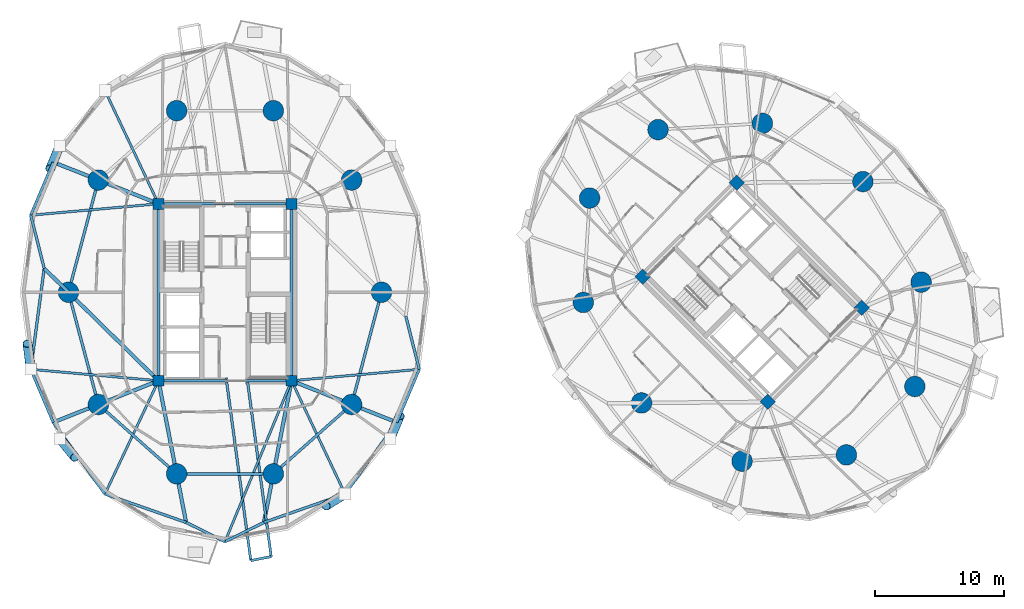
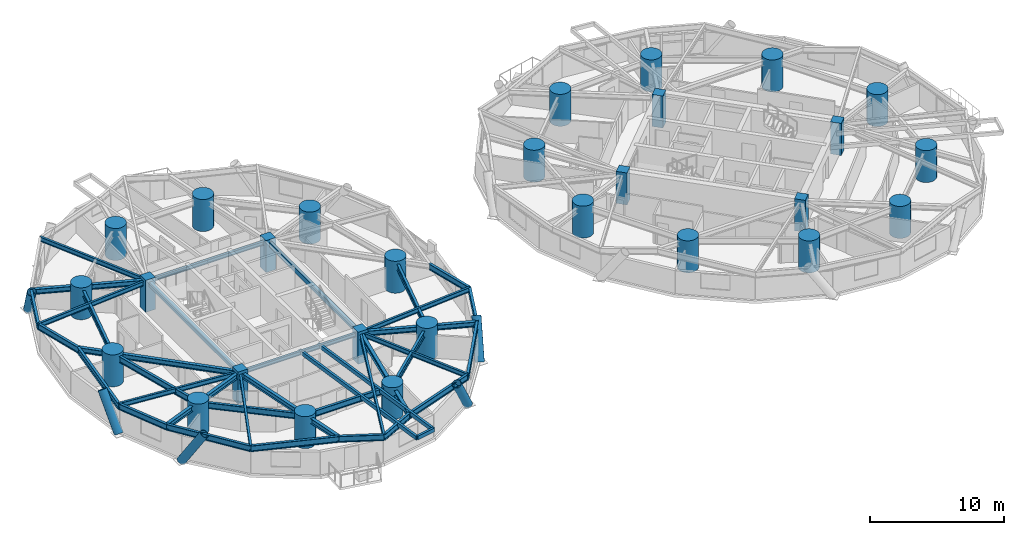
# One storey, part 1 of 19: 39 beams, 28 columns, 5 members.
"""IFC4 building model written with IfcOpenShell, lengths in metres."""

from ifc_helpers import new_model, si_unit, direction, frame, origin, origin_2d, place, context, subcontext, project, spatial, rectangle, hollow_rectangle, circle, hollow_circle, i_section, extrude, material, material_profile, profile_set, type_object, element, save


model = new_model("IFC4")

# Units and contexts
model_context = context("Model", 3, precision=1e-05, world=origin(), true_north=direction((0.0, 1.0)))
body_context = subcontext(model_context, "Body", "Model", "MODEL_VIEW")
ifc_project = project(units=[si_unit("LENGTHUNIT", "METRE"), si_unit("AREAUNIT", "SQUARE_METRE"), si_unit("VOLUMEUNIT", "CUBIC_METRE"), si_unit("PLANEANGLEUNIT", "RADIAN"), si_unit("MASSUNIT", "GRAM", prefix="KILO")], contexts=[model_context])

# Site, building, storey
site_placement = place(None, origin())
site = spatial("IfcSite", under=ifc_project, at=site_placement, CompositionType="ELEMENT")
building_placement = place(site_placement, origin())
building = spatial("IfcBuilding", under=site, at=building_placement, Name="Cununo Teusaquillo Station Towers", CompositionType="ELEMENT")
storey_placement = place(building_placement, frame((0.0, 0.0, 48.18994140625)))
storey = spatial("IfcBuildingStorey", under=building, at=storey_placement, Name="L14", CompositionType="ELEMENT", Elevation=48.18994140625)

# Columns
ifc_material_1 = material(Name="Concrete C50/60", Category="concrete")
ifc_material_profile_1 = material_profile(ifc_material_1, rectangle(XDim=0.85009765625, YDim=0.85009765625, at=origin_2d()), Name="RC-RECT-850x850")
ifc_profile_set_1 = profile_set([ifc_material_profile_1], Name="Concrete C50/60")
column_type_1 = type_object("IfcColumnType", Name="COL-CORE-Z1", PredefinedType="COLUMN", material=ifc_profile_set_1)
for number, where, z_axis, x_axis, name in (
    (1, (11.324951171875, 17.6201171875, 0.0), (0.0, 0.0, 1.0), (1.0, 0.0, 0.0), "L14 Tower A Core Column 1"),
    (2, (11.324951171875, 31.3798828125, 0.0), (0.0, 0.0, 1.0), (1.0, 0.0, 0.0), "L14 Tower A Core Column 2"),
    (3, (21.675048828125, 17.6201171875, 0.0), (0.0, 0.0, 1.0), (1.0, 0.0, 0.0), "L14 Tower A Core Column 3"),
    (4, (21.675048828125, 31.3798828125, 0.0), (0.0, 0.0, 1.0), (1.0, 0.0, 0.0), "L14 Tower A Core Column 4"),
    (5, (58.70556640625, 15.975830078125, 0.0), (0.0, 0.0, 1.0), (0.707106781187, 0.707106781187, 0.0), "L14 Tower B Core Column 1"),
    (6, (48.975830078125, 25.70556640625, 0.0), (0.0, 0.0, 1.0), (0.707106781187, 0.707106781187, 0.0), "L14 Tower B Core Column 2"),
    (7, (66.024169921875, 23.29443359375, 0.0), (0.0, 0.0, 1.0), (0.707106781187, 0.707106781187, 0.0), "L14 Tower B Core Column 3"),
    (8, (56.29443359375, 33.024169921875, 0.0), (0.0, 0.0, 1.0), (0.707106781187, 0.707106781187, 0.0), "L14 Tower B Core Column 4"),
):
    element("IfcColumn", number, at=place(storey_placement, frame(where, z_axis=z_axis, x_axis=x_axis)), inside=storey, type_object=column_type_1, Name=name, PredefinedType="COLUMN", context=body_context, shape_type="SweptSolid", body=[
        extrude(rectangle(XDim=0.85009765625, YDim=0.85009765625, at=origin_2d()), origin(), (0.0, 0.0, 1.0), 2.91015625),
    ])
ifc_material_2 = material(Name="Concrete C60/75", Category="concrete")
ifc_material_profile_2 = material_profile(ifc_material_2, circle(Radius=0.800048828125, at=origin_2d()), Name="RC-CIRC-1600")
ifc_profile_set_2 = profile_set([ifc_material_profile_2], Name="Concrete C60/75")
column_type_2 = type_object("IfcColumnType", Name="COL-MEGA-Z1", PredefinedType="USERDEFINED", material=ifc_profile_set_2)
for number, where, z_axis, x_axis, name in (
    (9, (28.672119140625, 24.5, 0.0), (0.0, 0.0, 1.0), (1.0, 0.0, 0.0), "L14 Tower A Perimeter Column V00"),
    (10, (26.347412109375, 33.228515625, 0.0), (0.0, 0.0, 1.0), (1.0, 0.0, 0.0), "L14 Tower A Perimeter Column V02"),
    (11, (20.261474609375, 38.623291015625, 0.0), (0.0, 0.0, 1.0), (1.0, 0.0, 0.0), "L14 Tower A Perimeter Column V04"),
    (12, (12.738525390625, 38.623291015625, 0.0), (0.0, 0.0, 1.0), (1.0, 0.0, 0.0), "L14 Tower A Perimeter Column V06"),
    (13, (6.652587890625, 33.228515625, 0.0), (0.0, 0.0, 1.0), (1.0, 0.0, 0.0), "L14 Tower A Perimeter Column V08"),
    (14, (4.327880859375, 24.5, 0.0), (0.0, 0.0, 1.0), (1.0, 0.0, 0.0), "L14 Tower A Perimeter Column V10"),
    (15, (6.652587890625, 15.771484375, 0.0), (0.0, 0.0, 1.0), (1.0, 0.0, 0.0), "L14 Tower A Perimeter Column V12"),
    (16, (12.738525390625, 10.376708984375, 0.0), (0.0, 0.0, 1.0), (1.0, 0.0, 0.0), "L14 Tower A Perimeter Column V14"),
    (17, (20.261474609375, 10.376708984375, 0.0), (0.0, 0.0, 1.0), (1.0, 0.0, 0.0), "L14 Tower A Perimeter Column V16"),
    (18, (26.347412109375, 15.771484375, 0.0), (0.0, 0.0, 1.0), (1.0, 0.0, 0.0), "L14 Tower A Perimeter Column V18"),
    (19, (66.10693359375, 33.10693359375, 0.0), (0.0, 0.0, 1.0), (1.0, 0.0, 0.0), "L14 Tower B Perimeter Column V00"),
    (20, (58.291015625, 37.63525390625, 0.0), (0.0, 0.0, 1.0), (1.0, 0.0, 0.0), "L14 Tower B Perimeter Column V02"),
    (21, (50.173095703125, 37.146240234375, 0.0), (0.0, 0.0, 1.0), (1.0, 0.0, 0.0), "L14 Tower B Perimeter Column V04"),
    (22, (44.853759765625, 31.826904296875, 0.0), (0.0, 0.0, 1.0), (1.0, 0.0, 0.0), "L14 Tower B Perimeter Column V06"),
    (23, (44.36474609375, 23.708984375, 0.0), (0.0, 0.0, 1.0), (1.0, 0.0, 0.0), "L14 Tower B Perimeter Column V08"),
    (24, (48.89306640625, 15.89306640625, 0.0), (0.0, 0.0, 1.0), (1.0, 0.0, 0.0), "L14 Tower B Perimeter Column V10"),
    (25, (56.708984375, 11.36474609375, 0.0), (0.0, 0.0, 1.0), (1.0, 0.0, 0.0), "L14 Tower B Perimeter Column V12"),
    (26, (64.826904296875, 11.853759765625, 0.0), (0.0, 0.0, 1.0), (1.0, 0.0, 0.0), "L14 Tower B Perimeter Column V14"),
    (27, (70.146240234375, 17.173095703125, 0.0), (0.0, 0.0, 1.0), (1.0, 0.0, 0.0), "L14 Tower B Perimeter Column V16"),
    (28, (70.63525390625, 25.291015625, 0.0), (0.0, 0.0, 1.0), (1.0, 0.0, 0.0), "L14 Tower B Perimeter Column V18"),
):
    element("IfcColumn", number, at=place(storey_placement, frame(where, z_axis=z_axis, x_axis=x_axis)), inside=storey, type_object=column_type_2, Name=name, ObjectType="MEGA COLUMN", PredefinedType="USERDEFINED", context=body_context, shape_type="SweptSolid", body=[
        extrude(circle(Radius=0.800048828125, at=origin_2d()), origin(), (0.0, 0.0, 1.0), 2.91015625),
    ])

# Beams
ifc_material_3 = material(Name="Steel EN 10025-2 S355J2", Category="steel")
ifc_material_profile_3 = material_profile(ifc_material_3, hollow_rectangle(XDim=0.199951171875, YDim=0.35009765625, WallThickness=0.013916015625, at=origin_2d()), Name="RHS 350x200x14")
ifc_profile_set_3 = profile_set([ifc_material_profile_3], Name="Steel EN 10025-2 S355J2")
beam_type_1 = type_object("IfcBeamType", Name="BM-BAL-CANT", PredefinedType="BEAM", material=ifc_profile_set_3)
beam_1_placement = place(storey_placement, frame((16.584716796875, 17.85009765625, 2.47509765625), z_axis=(0.133924221821, -0.990991575549, 0.0), x_axis=(0.990991575549, 0.133924221821, 0.0)))
element("IfcBeam", 29, at=beam_1_placement, inside=storey, type_object=beam_type_1, Name="L14 Tower A Balcony Cantilever Bracket 2A", PredefinedType="BEAM", context=body_context, shape_type="SweptSolid", body=[
    extrude(hollow_rectangle(XDim=0.199951171875, YDim=0.35009765625, WallThickness=0.013916015625, at=origin_2d()), origin(), (0.0, 0.0, 1.0), 14.34130859375),
])
beam_2_placement = place(storey_placement, frame((18.21240234375, 17.85009765625, 2.47509765625), z_axis=(0.133936830088, -0.990989871566, 0.0), x_axis=(0.990989871566, 0.133936830088, 0.0)))
element("IfcBeam", 30, at=beam_2_placement, inside=storey, type_object=beam_type_1, Name="L14 Tower A Balcony Cantilever Bracket 2B", PredefinedType="BEAM", context=body_context, shape_type="SweptSolid", body=[
    extrude(hollow_rectangle(XDim=0.199951171875, YDim=0.35009765625, WallThickness=0.013916015625, at=origin_2d()), origin(), (0.0, 0.0, 1.0), 14.031982421875),
])
ifc_material_4 = material(Name="Steel EN 10025-2 S355J2", Category="steel")
ifc_material_profile_4 = material_profile(ifc_material_4, hollow_rectangle(XDim=0.25, YDim=0.449951171875, WallThickness=0.01611328125, at=origin_2d()), Name="RHS 450x250x16")
ifc_profile_set_4 = profile_set([ifc_material_profile_4], Name="Steel EN 10025-2 S355J2")
beam_type_2 = type_object("IfcBeamType", Name="BM-COUP-1", PredefinedType="USERDEFINED", material=ifc_profile_set_4)
for number, where, z_axis, x_axis, name in (
    (31, (11.324951171875, 17.6201171875, 2.425048828125), (0.0, 1.0, 0.0), (-1.0, 0.0, 0.0), "L14 Tower A Core Beam 1"),
    (32, (21.675048828125, 17.6201171875, 2.425048828125), (0.0, 1.0, 0.0), (-1.0, 0.0, 0.0), "L14 Tower A Core Beam 2"),
):
    element("IfcBeam", number, at=place(storey_placement, frame(where, z_axis=z_axis, x_axis=x_axis)), inside=storey, type_object=beam_type_2, Name=name, ObjectType="COUPLING BEAM", PredefinedType="USERDEFINED", context=body_context, shape_type="SweptSolid", body=[
        extrude(hollow_rectangle(XDim=0.25, YDim=0.449951171875, WallThickness=0.01611328125, at=origin_2d()), origin(), (0.0, 0.0, 1.0), 13.759765625),
    ])
ifc_material_5 = material(Name="Steel ASTM A572 Grade 50", Category="steel")
ifc_material_profile_5 = material_profile(ifc_material_5, i_section(OverallWidth=0.180908203125, OverallDepth=0.4169921875, WebThickness=0.010986328125, FlangeThickness=0.018310546875, FilletRadius=0.012939453125, at=origin_2d()), Name="W16X57")
ifc_profile_set_5 = profile_set([ifc_material_profile_5], Name="Steel ASTM A572 Grade 50")
beam_type_3 = type_object("IfcBeamType", Name="BM-JOIST-1", PredefinedType="JOIST", material=ifc_profile_set_5)
beam_3_placement = place(storey_placement, frame((11.324951171875, 31.3798828125, 2.441650390625), z_axis=(-0.427160580437, 0.904175778552, 0.0), x_axis=(-0.904175778552, -0.427160580437, 0.0)))
element("IfcBeam", 33, at=beam_3_placement, inside=storey, type_object=beam_type_3, Name="L14 Tower A Radial Spandrel Joist V07", PredefinedType="JOIST", context=body_context, shape_type="SweptSolid", body=[
    extrude(i_section(OverallWidth=0.180908203125, OverallDepth=0.4169921875, WebThickness=0.010986328125, FlangeThickness=0.018310546875, FilletRadius=0.012939453125, at=origin_2d()), origin(), (0.0, 0.0, 1.0), 9.740234375),
])
for number, where, z_axis, x_axis, name in (
    (34, (11.324951171875, 31.3798828125, 2.441650390625), (-0.996024214913, -0.089082901314, 0.0), (0.089082901314, -0.996024214913, 0.0), "L14 Tower A Radial Spandrel Joist V09"),
    (35, (11.324951171875, 17.6201171875, 2.441650390625), (-0.996024214913, 0.089082901314, 0.0), (-0.089082901314, -0.996024214913, 0.0), "L14 Tower A Radial Spandrel Joist V11"),
):
    element("IfcBeam", number, at=place(storey_placement, frame(where, z_axis=z_axis, x_axis=x_axis)), inside=storey, type_object=beam_type_3, Name=name, PredefinedType="JOIST", context=body_context, shape_type="SweptSolid", body=[
        extrude(i_section(OverallWidth=0.180908203125, OverallDepth=0.4169921875, WebThickness=0.010986328125, FlangeThickness=0.018310546875, FilletRadius=0.012939453125, at=origin_2d()), origin(), (0.0, 0.0, 1.0), 9.97021484375),
    ])
beam_4_placement = place(storey_placement, frame((11.324951171875, 17.6201171875, 2.441650390625), z_axis=(-0.427160580437, -0.904175778552, 0.0), x_axis=(0.904175778552, -0.427160580437, 0.0)))
element("IfcBeam", 36, at=beam_4_placement, inside=storey, type_object=beam_type_3, Name="L14 Tower A Radial Spandrel Joist V13", PredefinedType="JOIST", context=body_context, shape_type="SweptSolid", body=[
    extrude(i_section(OverallWidth=0.180908203125, OverallDepth=0.4169921875, WebThickness=0.010986328125, FlangeThickness=0.018310546875, FilletRadius=0.012939453125, at=origin_2d()), origin(), (0.0, 0.0, 1.0), 9.740234375),
])
beam_5_placement = place(storey_placement, frame((21.675048828125, 17.6201171875, 2.441650390625), z_axis=(-0.382256753081, -0.924056153447, 0.0), x_axis=(0.924056153447, -0.382256753081, 0.0)))
element("IfcBeam", 37, at=beam_5_placement, inside=storey, type_object=beam_type_3, Name="L14 Tower A Radial Spandrel Joist V15", PredefinedType="JOIST", context=body_context, shape_type="SweptSolid", body=[
    extrude(i_section(OverallWidth=0.180908203125, OverallDepth=0.4169921875, WebThickness=0.010986328125, FlangeThickness=0.018310546875, FilletRadius=0.012939453125, at=origin_2d()), origin(), (0.0, 0.0, 1.0), 13.5380859375),
])
beam_6_placement = place(storey_placement, frame((21.675048828125, 17.6201171875, 2.441650390625), z_axis=(0.427160580437, -0.904175778552, 0.0), x_axis=(0.904175778552, 0.427160580437, 0.0)))
element("IfcBeam", 38, at=beam_6_placement, inside=storey, type_object=beam_type_3, Name="L14 Tower A Radial Spandrel Joist V17", PredefinedType="JOIST", context=body_context, shape_type="SweptSolid", body=[
    extrude(i_section(OverallWidth=0.180908203125, OverallDepth=0.4169921875, WebThickness=0.010986328125, FlangeThickness=0.018310546875, FilletRadius=0.012939453125, at=origin_2d()), origin(), (0.0, 0.0, 1.0), 9.740234375),
])
beam_7_placement = place(storey_placement, frame((21.675048828125, 17.6201171875, 2.441650390625), z_axis=(0.996024214913, 0.089082901314, 0.0), x_axis=(-0.089082901314, 0.996024214913, 0.0)))
element("IfcBeam", 39, at=beam_7_placement, inside=storey, type_object=beam_type_3, Name="L14 Tower A Radial Spandrel Joist V19", PredefinedType="JOIST", context=body_context, shape_type="SweptSolid", body=[
    extrude(i_section(OverallWidth=0.180908203125, OverallDepth=0.4169921875, WebThickness=0.010986328125, FlangeThickness=0.018310546875, FilletRadius=0.012939453125, at=origin_2d()), origin(), (0.0, 0.0, 1.0), 9.97021484375),
])
ifc_material_6 = material(Name="Steel ASTM A572 Grade 50", Category="steel")
ifc_material_profile_6 = material_profile(ifc_material_6, i_section(OverallWidth=0.2041015625, OverallDepth=0.35009765625, WebThickness=0.008544921875, FlangeThickness=0.01513671875, FilletRadius=0.011962890625, at=origin_2d()), Name="W14X48")
ifc_profile_set_6 = profile_set([ifc_material_profile_6], Name="Steel ASTM A572 Grade 50")
beam_type_4 = type_object("IfcBeamType", Name="BM-LINTEL-1", PredefinedType="LINTEL", material=ifc_profile_set_6)
for number, where, z_axis, x_axis, name in (
    (40, (11.324951171875, 17.6201171875, 2.47509765625), (1.0, 0.0, 0.0), (0.0, 1.0, 0.0), "L14 Tower A Core Beam 3"),
    (41, (11.324951171875, 31.3798828125, 2.47509765625), (1.0, 0.0, 0.0), (0.0, 1.0, 0.0), "L14 Tower A Core Beam 4"),
):
    element("IfcBeam", number, at=place(storey_placement, frame(where, z_axis=z_axis, x_axis=x_axis)), inside=storey, type_object=beam_type_4, Name=name, PredefinedType="LINTEL", context=body_context, shape_type="SweptSolid", body=[
        extrude(i_section(OverallWidth=0.2041015625, OverallDepth=0.35009765625, WebThickness=0.008544921875, FlangeThickness=0.01513671875, FilletRadius=0.011962890625, at=origin_2d()), origin(), (0.0, 0.0, 1.0), 10.35009765625),
    ])
ifc_material_7 = material(Name="Steel ASTM A572 Grade 50", Category="steel")
ifc_material_profile_7 = material_profile(ifc_material_7, i_section(OverallWidth=0.280029296875, OverallDepth=0.462890625, WebThickness=0.0107421875, FlangeThickness=0.017333984375, FilletRadius=0.013916015625, at=origin_2d()), Name="W18X76")
ifc_profile_set_7 = profile_set([ifc_material_profile_7], Name="Steel ASTM A572 Grade 50")
beam_type_5 = type_object("IfcBeamType", Name="BM-RAD-G1", PredefinedType="BEAM", material=ifc_profile_set_7)
beam_8_placement = place(storey_placement, frame((11.324951171875, 31.3798828125, 2.41845703125), z_axis=(-0.929867137966, 0.367895509256, 0.0), x_axis=(-0.367895509256, -0.929867137966, 0.0)))
element("IfcBeam", 42, at=beam_8_placement, inside=storey, type_object=beam_type_5, Name="L14 Tower A Continuous Overhanging Radial Girder 05", PredefinedType="BEAM", context=body_context, shape_type="SweptSolid", body=[
    extrude(i_section(OverallWidth=0.280029296875, OverallDepth=0.462890625, WebThickness=0.0107421875, FlangeThickness=0.017333984375, FilletRadius=0.013916015625, at=origin_2d()), origin(), (0.0, 0.0, 1.0), 8.798095703125),
])
beam_9_placement = place(storey_placement, frame((11.324951171875, 17.6201171875, 2.41845703125), z_axis=(-0.713052701438, 0.701110437073, 0.0), x_axis=(-0.701110437073, -0.713052701438, 0.0)))
element("IfcBeam", 43, at=beam_9_placement, inside=storey, type_object=beam_type_5, Name="L14 Tower A Radial Girder 06A", PredefinedType="BEAM", context=body_context, shape_type="SweptSolid", body=[
    extrude(i_section(OverallWidth=0.280029296875, OverallDepth=0.462890625, WebThickness=0.0107421875, FlangeThickness=0.017333984375, FilletRadius=0.013916015625, at=origin_2d()), origin(), (0.0, 0.0, 1.0), 9.812744140625),
])
beam_10_placement = place(storey_placement, frame((4.327880859375, 24.5, 2.41845703125), z_axis=(-0.713032905062, 0.701130570079, 0.0), x_axis=(-0.701130570079, -0.713032905062, 0.0)))
element("IfcBeam", 44, at=beam_10_placement, inside=storey, type_object=beam_type_5, Name="L14 Tower A Perimeter Overhang Girder 06B", PredefinedType="BEAM", context=body_context, shape_type="SweptSolid", body=[
    extrude(i_section(OverallWidth=0.280029296875, OverallDepth=0.462890625, WebThickness=0.0107421875, FlangeThickness=0.017333984375, FilletRadius=0.013916015625, at=origin_2d()), origin(), (0.0, 0.0, 1.0), 2.64599609375),
])
beam_11_placement = place(storey_placement, frame((11.324951171875, 17.6201171875, 2.41845703125), z_axis=(-0.929867137966, -0.367895509256, 0.0), x_axis=(0.367895509256, -0.929867137966, 0.0)))
element("IfcBeam", 45, at=beam_11_placement, inside=storey, type_object=beam_type_5, Name="L14 Tower A Continuous Overhanging Radial Girder 07", PredefinedType="BEAM", context=body_context, shape_type="SweptSolid", body=[
    extrude(i_section(OverallWidth=0.280029296875, OverallDepth=0.462890625, WebThickness=0.0107421875, FlangeThickness=0.017333984375, FilletRadius=0.013916015625, at=origin_2d()), origin(), (0.0, 0.0, 1.0), 8.798095703125),
])
for number, where, z_axis, x_axis, name in (
    (46, (11.324951171875, 17.6201171875, 2.41845703125), (0.191552755713, -0.981482318628, 0.0), (0.981482318628, 0.191552755713, 0.0), "L14 Tower A Continuous Overhanging Radial Girder 08"),
    (47, (21.675048828125, 17.6201171875, 2.41845703125), (-0.191552755713, -0.981482318628, 0.0), (0.981482318628, -0.191552755713, 0.0), "L14 Tower A Continuous Overhanging Radial Girder 09"),
):
    element("IfcBeam", number, at=place(storey_placement, frame(where, z_axis=z_axis, x_axis=x_axis)), inside=storey, type_object=beam_type_5, Name=name, PredefinedType="BEAM", context=body_context, shape_type="SweptSolid", body=[
        extrude(i_section(OverallWidth=0.280029296875, OverallDepth=0.462890625, WebThickness=0.0107421875, FlangeThickness=0.017333984375, FilletRadius=0.013916015625, at=origin_2d()), origin(), (0.0, 0.0, 1.0), 11.22998046875),
    ])
beam_12_placement = place(storey_placement, frame((21.675048828125, 17.6201171875, 2.41845703125), z_axis=(0.929867137966, -0.367895509256, 0.0), x_axis=(0.367895509256, 0.929867137966, 0.0)))
element("IfcBeam", 48, at=beam_12_placement, inside=storey, type_object=beam_type_5, Name="L14 Tower A Continuous Overhanging Radial Girder 10", PredefinedType="BEAM", context=body_context, shape_type="SweptSolid", body=[
    extrude(i_section(OverallWidth=0.280029296875, OverallDepth=0.462890625, WebThickness=0.0107421875, FlangeThickness=0.017333984375, FilletRadius=0.013916015625, at=origin_2d()), origin(), (0.0, 0.0, 1.0), 8.798095703125),
])
ifc_material_8 = material(Name="Steel ASTM A572 Grade 50", Category="steel")
ifc_material_profile_8 = material_profile(ifc_material_8, i_section(OverallWidth=0.214111328125, OverallDepth=0.549072265625, WebThickness=0.0146484375, FlangeThickness=0.023681640625, FilletRadius=0.014892578125, at=origin_2d()), Name="W21X93")
ifc_profile_set_8 = profile_set([ifc_material_profile_8], Name="Steel ASTM A572 Grade 50")
beam_type_6 = type_object("IfcBeamType", Name="BM-RING-Z1", PredefinedType="SPANDREL", material=ifc_profile_set_8)
for number, where, z_axis, x_axis, name in (
    (49, (6.652587890625, 33.228515625, 2.37548828125), (-0.257363196347, -0.966314744359, 0.0), (0.966314744359, -0.257363196347, 0.0), "L14 Tower A Structural Column Ring Girder 05"),
    (50, (4.327880859375, 24.5, 2.37548828125), (0.257363196347, -0.966314744359, 0.0), (0.966314744359, 0.257363196347, 0.0), "L14 Tower A Structural Column Ring Girder 06"),
):
    element("IfcBeam", number, at=place(storey_placement, frame(where, z_axis=z_axis, x_axis=x_axis)), inside=storey, type_object=beam_type_6, Name=name, PredefinedType="SPANDREL", context=body_context, shape_type="SweptSolid", body=[
        extrude(i_section(OverallWidth=0.214111328125, OverallDepth=0.549072265625, WebThickness=0.0146484375, FlangeThickness=0.023681640625, FilletRadius=0.014892578125, at=origin_2d()), origin(), (0.0, 0.0, 1.0), 9.03271484375),
    ])
beam_13_placement = place(storey_placement, frame((6.652587890625, 15.771484375, 2.37548828125), z_axis=(0.74832120039, -0.66333655187, 0.0), x_axis=(0.66333655187, 0.74832120039, 0.0)))
element("IfcBeam", 51, at=beam_13_placement, inside=storey, type_object=beam_type_6, Name="L14 Tower A Structural Column Ring Girder 07", PredefinedType="SPANDREL", context=body_context, shape_type="SweptSolid", body=[
    extrude(i_section(OverallWidth=0.214111328125, OverallDepth=0.549072265625, WebThickness=0.0146484375, FlangeThickness=0.023681640625, FilletRadius=0.014892578125, at=origin_2d()), origin(), (0.0, 0.0, 1.0), 8.1328125),
])
beam_14_placement = place(storey_placement, frame((12.738525390625, 10.376708984375, 2.37548828125), z_axis=(1.0, 0.0, 0.0), x_axis=(0.0, 1.0, 0.0)))
element("IfcBeam", 52, at=beam_14_placement, inside=storey, type_object=beam_type_6, Name="L14 Tower A Structural Column Ring Girder 08", PredefinedType="SPANDREL", context=body_context, shape_type="SweptSolid", body=[
    extrude(i_section(OverallWidth=0.214111328125, OverallDepth=0.549072265625, WebThickness=0.0146484375, FlangeThickness=0.023681640625, FilletRadius=0.014892578125, at=origin_2d()), origin(), (0.0, 0.0, 1.0), 7.52294921875),
])
beam_15_placement = place(storey_placement, frame((20.261474609375, 10.376708984375, 2.37548828125), z_axis=(0.74832120039, 0.66333655187, 0.0), x_axis=(-0.66333655187, 0.74832120039, 0.0)))
element("IfcBeam", 53, at=beam_15_placement, inside=storey, type_object=beam_type_6, Name="L14 Tower A Structural Column Ring Girder 09", PredefinedType="SPANDREL", context=body_context, shape_type="SweptSolid", body=[
    extrude(i_section(OverallWidth=0.214111328125, OverallDepth=0.549072265625, WebThickness=0.0146484375, FlangeThickness=0.023681640625, FilletRadius=0.014892578125, at=origin_2d()), origin(), (0.0, 0.0, 1.0), 8.1328125),
])
beam_16_placement = place(storey_placement, frame((26.347412109375, 15.771484375, 2.37548828125), z_axis=(0.257363196347, 0.966314744359, 0.0), x_axis=(-0.966314744359, 0.257363196347, 0.0)))
element("IfcBeam", 54, at=beam_16_placement, inside=storey, type_object=beam_type_6, Name="L14 Tower A Structural Column Ring Girder 10", PredefinedType="SPANDREL", context=body_context, shape_type="SweptSolid", body=[
    extrude(i_section(OverallWidth=0.214111328125, OverallDepth=0.549072265625, WebThickness=0.0146484375, FlangeThickness=0.023681640625, FilletRadius=0.014892578125, at=origin_2d()), origin(), (0.0, 0.0, 1.0), 9.03271484375),
])
beam_17_placement = place(storey_placement, frame((3.143798828125, 34.61669921875, 2.37548828125), z_axis=(-0.390457491743, -0.920620957366, 0.0), x_axis=(0.920620957366, -0.390457491743, 0.0)))
element("IfcBeam", 55, at=beam_17_placement, inside=storey, type_object=beam_type_6, Name="L14 Tower A Spandrel Ring Beam 09", PredefinedType="SPANDREL", context=body_context, shape_type="SweptSolid", body=[
    extrude(i_section(OverallWidth=0.214111328125, OverallDepth=0.549072265625, WebThickness=0.0146484375, FlangeThickness=0.023681640625, FilletRadius=0.014892578125, at=origin_2d()), origin(), (0.0, 0.0, 1.0), 4.480712890625),
])
beam_18_placement = place(storey_placement, frame((1.394287109375, 30.49169921875, 2.37548828125), z_axis=(0.24534835638, -0.969434981843, 0.0), x_axis=(0.969434981843, 0.24534835638, 0.0)))
element("IfcBeam", 56, at=beam_18_placement, inside=storey, type_object=beam_type_6, Name="L14 Tower A Spandrel Ring Beam 10", PredefinedType="SPANDREL", context=body_context, shape_type="SweptSolid", body=[
    extrude(i_section(OverallWidth=0.214111328125, OverallDepth=0.549072265625, WebThickness=0.0146484375, FlangeThickness=0.023681640625, FilletRadius=0.014892578125, at=origin_2d()), origin(), (0.0, 0.0, 1.0), 4.266845703125),
])
beam_19_placement = place(storey_placement, frame((2.441162109375, 26.355224609375, 2.37548828125), z_axis=(-0.132240482179, -0.991217662712, 0.0), x_axis=(0.991217662712, -0.132240482179, 0.0)))
element("IfcBeam", 57, at=beam_19_placement, inside=storey, type_object=beam_type_6, Name="L14 Tower A Spandrel Ring Beam 11", PredefinedType="SPANDREL", context=body_context, shape_type="SweptSolid", body=[
    extrude(i_section(OverallWidth=0.214111328125, OverallDepth=0.549072265625, WebThickness=0.0146484375, FlangeThickness=0.023681640625, FilletRadius=0.014892578125, at=origin_2d()), origin(), (0.0, 0.0, 1.0), 7.91650390625),
])
beam_20_placement = place(storey_placement, frame((1.394287109375, 18.50830078125, 2.37548828125), z_axis=(0.390457491743, -0.920620957366, 0.0), x_axis=(0.920620957366, 0.390457491743, 0.0)))
element("IfcBeam", 58, at=beam_20_placement, inside=storey, type_object=beam_type_6, Name="L14 Tower A Spandrel Ring Beam 12", PredefinedType="SPANDREL", context=body_context, shape_type="SweptSolid", body=[
    extrude(i_section(OverallWidth=0.214111328125, OverallDepth=0.549072265625, WebThickness=0.0146484375, FlangeThickness=0.023681640625, FilletRadius=0.014892578125, at=origin_2d()), origin(), (0.0, 0.0, 1.0), 4.480712890625),
])
beam_21_placement = place(storey_placement, frame((3.143798828125, 14.38330078125, 2.37548828125), z_axis=(0.585268642749, -0.810839451319, 0.0), x_axis=(0.810839451319, 0.585268642749, 0.0)))
element("IfcBeam", 59, at=beam_21_placement, inside=storey, type_object=beam_type_6, Name="L14 Tower A Spandrel Ring Beam 13", PredefinedType="SPANDREL", context=body_context, shape_type="SweptSolid", body=[
    extrude(i_section(OverallWidth=0.214111328125, OverallDepth=0.549072265625, WebThickness=0.0146484375, FlangeThickness=0.023681640625, FilletRadius=0.014892578125, at=origin_2d()), origin(), (0.0, 0.0, 1.0), 6.86962890625),
])
beam_22_placement = place(storey_placement, frame((7.164306640625, 8.813232421875, 2.37548828125), z_axis=(0.943579776012, -0.33114529485, 0.0), x_axis=(0.33114529485, 0.943579776012, 0.0)))
element("IfcBeam", 60, at=beam_22_placement, inside=storey, type_object=beam_type_6, Name="L14 Tower A Spandrel Ring Beam 14", PredefinedType="SPANDREL", context=body_context, shape_type="SweptSolid", body=[
    extrude(i_section(OverallWidth=0.214111328125, OverallDepth=0.549072265625, WebThickness=0.0146484375, FlangeThickness=0.023681640625, FilletRadius=0.014892578125, at=origin_2d()), origin(), (0.0, 0.0, 1.0), 6.689208984375),
])
for number, where, z_axis, x_axis, name in (
    (61, (13.47607421875, 6.59814453125, 2.37548828125), (0.8972488299, -0.441525239645, 0.0), (0.441525239645, 0.8972488299, 0.0), "L14 Tower A Spandrel Ring Beam 15"),
    (62, (16.5, 5.110107421875, 2.37548828125), (0.8972488299, 0.441525239645, 0.0), (-0.441525239645, 0.8972488299, 0.0), "L14 Tower A Spandrel Ring Beam 16"),
):
    element("IfcBeam", number, at=place(storey_placement, frame(where, z_axis=z_axis, x_axis=x_axis)), inside=storey, type_object=beam_type_6, Name=name, PredefinedType="SPANDREL", context=body_context, shape_type="SweptSolid", body=[
        extrude(i_section(OverallWidth=0.214111328125, OverallDepth=0.549072265625, WebThickness=0.0146484375, FlangeThickness=0.023681640625, FilletRadius=0.014892578125, at=origin_2d()), origin(), (0.0, 0.0, 1.0), 3.3701171875),
    ])
beam_23_placement = place(storey_placement, frame((19.52392578125, 6.59814453125, 2.37548828125), z_axis=(0.943579776012, 0.33114529485, 0.0), x_axis=(-0.33114529485, 0.943579776012, 0.0)))
element("IfcBeam", 63, at=beam_23_placement, inside=storey, type_object=beam_type_6, Name="L14 Tower A Spandrel Ring Beam 17", PredefinedType="SPANDREL", context=body_context, shape_type="SweptSolid", body=[
    extrude(i_section(OverallWidth=0.214111328125, OverallDepth=0.549072265625, WebThickness=0.0146484375, FlangeThickness=0.023681640625, FilletRadius=0.014892578125, at=origin_2d()), origin(), (0.0, 0.0, 1.0), 6.689208984375),
])
beam_24_placement = place(storey_placement, frame((25.835693359375, 8.813232421875, 2.37548828125), z_axis=(0.585268642749, 0.810839451319, 0.0), x_axis=(-0.810839451319, 0.585268642749, 0.0)))
element("IfcBeam", 64, at=beam_24_placement, inside=storey, type_object=beam_type_6, Name="L14 Tower A Spandrel Ring Beam 18", PredefinedType="SPANDREL", context=body_context, shape_type="SweptSolid", body=[
    extrude(i_section(OverallWidth=0.214111328125, OverallDepth=0.549072265625, WebThickness=0.0146484375, FlangeThickness=0.023681640625, FilletRadius=0.014892578125, at=origin_2d()), origin(), (0.0, 0.0, 1.0), 6.86962890625),
])
beam_25_placement = place(storey_placement, frame((29.856201171875, 14.38330078125, 2.37548828125), z_axis=(0.390457491743, 0.920620957366, 0.0), x_axis=(-0.920620957366, 0.390457491743, 0.0)))
element("IfcBeam", 65, at=beam_25_placement, inside=storey, type_object=beam_type_6, Name="L14 Tower A Spandrel Ring Beam 19", PredefinedType="SPANDREL", context=body_context, shape_type="SweptSolid", body=[
    extrude(i_section(OverallWidth=0.214111328125, OverallDepth=0.549072265625, WebThickness=0.0146484375, FlangeThickness=0.023681640625, FilletRadius=0.014892578125, at=origin_2d()), origin(), (0.0, 0.0, 1.0), 4.480712890625),
])
beam_26_placement = place(storey_placement, frame((31.605712890625, 18.50830078125, 2.37548828125), z_axis=(-0.24534835638, 0.969434981843, 0.0), x_axis=(-0.969434981843, -0.24534835638, 0.0)))
element("IfcBeam", 66, at=beam_26_placement, inside=storey, type_object=beam_type_6, Name="L14 Tower A Spandrel Ring Beam 20", PredefinedType="SPANDREL", context=body_context, shape_type="SweptSolid", body=[
    extrude(i_section(OverallWidth=0.214111328125, OverallDepth=0.549072265625, WebThickness=0.0146484375, FlangeThickness=0.023681640625, FilletRadius=0.014892578125, at=origin_2d()), origin(), (0.0, 0.0, 1.0), 4.266845703125),
])
ifc_material_9 = material(Name="Steel EN 10025-2 S355J2", Category="steel")
ifc_material_profile_9 = material_profile(ifc_material_9, hollow_rectangle(XDim=0.199951171875, YDim=0.35009765625, WallThickness=0.013916015625, at=origin_2d()), Name="RHS 350x200x14")
ifc_profile_set_9 = profile_set([ifc_material_profile_9], Name="Steel EN 10025-2 S355J2")
beam_type_7 = type_object("IfcBeamType", Name="BM-STAIR-TRIM", PredefinedType="BEAM", material=ifc_profile_set_9)
beam_27_placement = place(storey_placement, frame((18.50537109375, 3.637939453125, 2.525146484375), z_axis=(0.981827104253, 0.189777599714, 0.0), x_axis=(-0.189777599714, 0.981827104253, 0.0)))
element("IfcBeam", 67, at=beam_27_placement, inside=storey, type_object=beam_type_7, Name="L14 Tower A Balcony Edge Trimmer Beam 2", PredefinedType="BEAM", context=body_context, shape_type="SweptSolid", body=[
    extrude(hollow_rectangle(XDim=0.199951171875, YDim=0.35009765625, WallThickness=0.013916015625, at=origin_2d()), origin(), (0.0, 0.0, 1.0), 1.61572265625),
])

# Members
ifc_material_10 = material(Name="Steel EN 10025-2 S355J2", Category="steel")
ifc_material_profile_10 = material_profile(ifc_material_10, hollow_circle(Radius=0.360107421875, WallThickness=0.028076171875, at=origin_2d()), Name="CHS 720x28")
ifc_profile_set_10 = profile_set([ifc_material_profile_10], Name="Steel EN 10025-2 S355J2")
member_type = type_object("IfcMemberType", Name="MBR-DIAG-Z1", PredefinedType="BRACE", material=ifc_profile_set_10)
member_1_placement = place(storey_placement, frame((3.650390625, 35.897216796875, -0.139892578125), z_axis=(-0.214586809548, -0.51417229041, 0.830409150325), x_axis=(0.92285479051, -0.385148069752, 0.0)))
element("IfcMember", 68, at=member_1_placement, inside=storey, type_object=member_type, Name="L14 Tower A Folded-Zigzag Diagrid Tube C08", PredefinedType="BRACE", context=body_context, shape_type="SweptSolid", body=[
    extrude(hollow_circle(Radius=0.360107421875, WallThickness=0.028076171875, at=origin_2d()), origin(), (0.0, 0.0, 1.0), 3.504150390625),
])
member_2_placement = place(storey_placement, frame((1.394287109375, 18.50830078125, -0.139892578125), z_axis=(-0.073195561002, 0.564385376584, 0.822260029764), x_axis=(-0.991694777909, -0.128613636397, 0.0)))
element("IfcMember", 69, at=member_2_placement, inside=storey, type_object=member_type, Name="L14 Tower A Folded-Zigzag Diagrid Tube C10", PredefinedType="BRACE", context=body_context, shape_type="SweptSolid", body=[
    extrude(hollow_circle(Radius=0.360107421875, WallThickness=0.028076171875, at=origin_2d()), origin(), (0.0, 0.0, 1.0), 3.538818359375),
])
member_3_placement = place(storey_placement, frame((3.650390625, 13.102783203125, -0.139892578125), z_axis=(0.339790269287, -0.414787746398, 0.844093418015), x_axis=(0.77357465795, 0.633705174807, 0.0)))
element("IfcMember", 70, at=member_3_placement, inside=storey, type_object=member_type, Name="L14 Tower A Folded-Zigzag Diagrid Tube C12", PredefinedType="BRACE", context=body_context, shape_type="SweptSolid", body=[
    extrude(hollow_circle(Radius=0.360107421875, WallThickness=0.028076171875, at=origin_2d()), origin(), (0.0, 0.0, 1.0), 3.447265625),
])
member_4_placement = place(storey_placement, frame((25.835693359375, 8.813232421875, -0.139892578125), z_axis=(-0.435411045402, -0.270898418818, 0.858505252298), x_axis=(0.528268134095, -0.849077604521, 0.0)))
element("IfcMember", 71, at=member_4_placement, inside=storey, type_object=member_type, Name="L14 Tower A Folded-Zigzag Diagrid Tube C16", PredefinedType="BRACE", context=body_context, shape_type="SweptSolid", body=[
    extrude(hollow_circle(Radius=0.360107421875, WallThickness=0.028076171875, at=origin_2d()), origin(), (0.0, 0.0, 1.0), 3.389404296875),
])
member_5_placement = place(storey_placement, frame((29.349609375, 13.102783203125, -0.139892578125), z_axis=(0.214586809548, 0.51417229041, 0.830409150325), x_axis=(-0.92285479051, 0.385148069752, 0.0)))
element("IfcMember", 72, at=member_5_placement, inside=storey, type_object=member_type, Name="L14 Tower A Folded-Zigzag Diagrid Tube C18", PredefinedType="BRACE", context=body_context, shape_type="SweptSolid", body=[
    extrude(hollow_circle(Radius=0.360107421875, WallThickness=0.028076171875, at=origin_2d()), origin(), (0.0, 0.0, 1.0), 3.504150390625),
])

save(model, "model.ifc")
